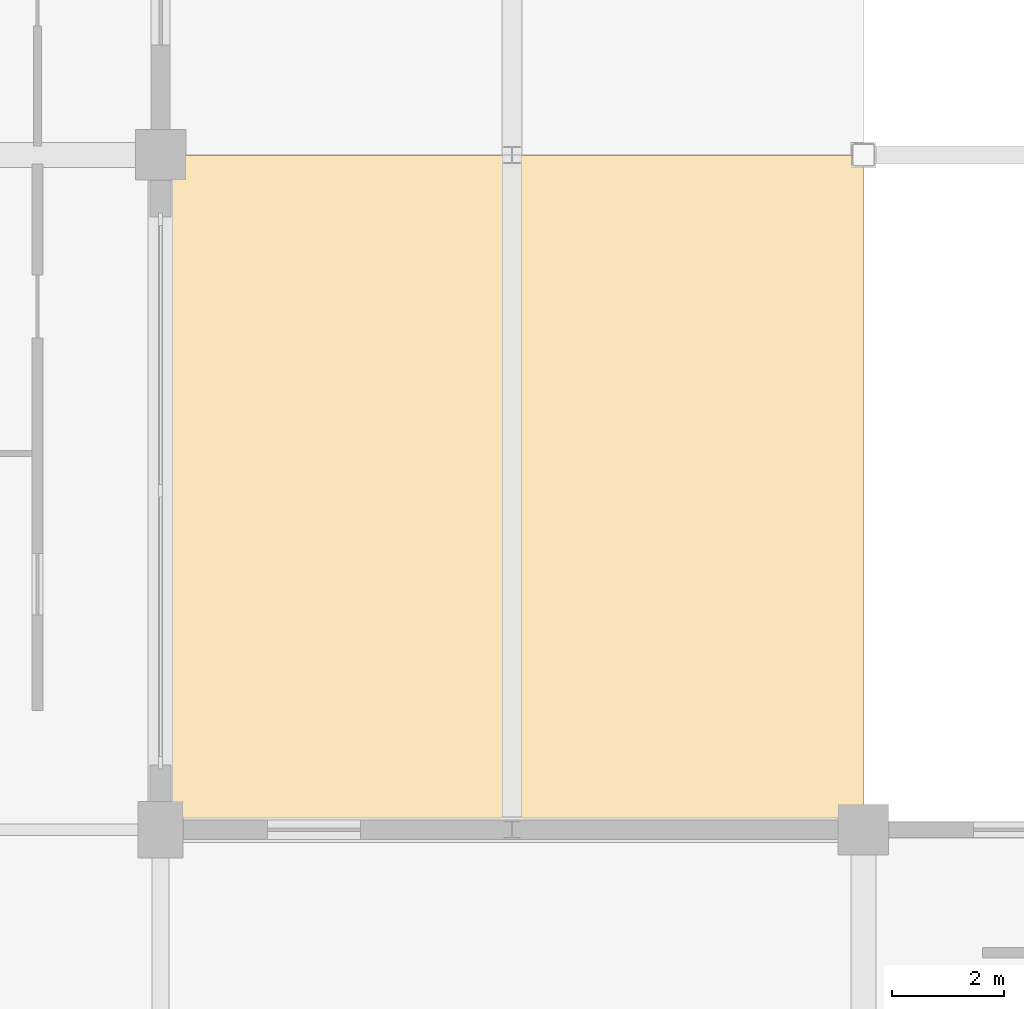
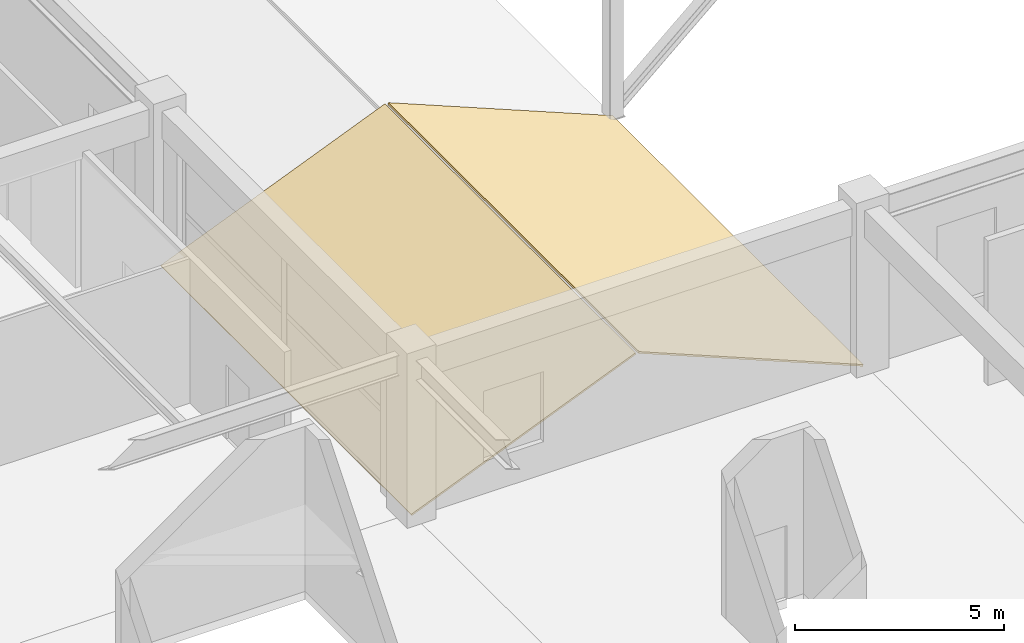
# One storey, part 88 of 116: 2 coverings.
"""IFC4 building model written with IfcOpenShell, lengths in metres."""

from ifc_helpers import new_model, si_unit, direction, frame, origin, place, context, subcontext, project, spatial, polyline, outline, extrude, material, layer, layer_set, type_object, element, save


model = new_model("IFC4")

# Units and contexts
model_context = context("Model", 3, precision=1e-05, world=origin(), true_north=direction((0.0, 1.0)))
body_context = subcontext(model_context, "Body", "Model", "MODEL_VIEW")
ifc_project = project(units=[si_unit("LENGTHUNIT", "METRE"), si_unit("AREAUNIT", "SQUARE_METRE"), si_unit("VOLUMEUNIT", "CUBIC_METRE"), si_unit("PLANEANGLEUNIT", "RADIAN"), si_unit("MASSUNIT", "GRAM", prefix="KILO")], contexts=[model_context])

# Site, building, storey
site_placement = place(None, origin())
site = spatial("IfcSite", under=ifc_project, at=site_placement, CompositionType="ELEMENT")
building_placement = place(site_placement, origin())
building = spatial("IfcBuilding", under=site, at=building_placement, Name="Kazenohara Klinker Stadium", CompositionType="ELEMENT")
storey_placement = place(building_placement, frame((0.0, 0.0, 10.199951171875)))
storey = spatial("IfcBuildingStorey", under=building, at=storey_placement, Name="L02", CompositionType="ELEMENT", Elevation=10.199951171875)

# Coverings
ifc_material = material(Name="Insulated standing-seam copper roofing", Category="metal")
ifc_layer = layer(ifc_material, 0.050048828125)
ifc_layer_set = layer_set([ifc_layer], Name="Insulated standing-seam copper roofing")
covering_type = type_object("IfcCoveringType", Name="COV-ROOF-01", PredefinedType="ROOFING", material=ifc_layer_set)
for number, where, z_axis, x_axis, name in (
    (1, (36.5, 36.0, -0.030029296875), (-0.380383442935, 0.0, 0.924828868678), (0.924828868678, 0.0, 0.380383442935), "Standing-seam copper stepped wing roofing L02-A 4/D"),
    (2, (42.800048828125, 36.0, 2.52001953125), (0.380383442935, 0.0, 0.924828868678), (0.924828868678, 0.0, -0.380383442935), "Standing-seam copper stepped wing roofing L02-B 4/D"),
):
    element("IfcCovering", number, at=place(storey_placement, frame(where, z_axis=z_axis, x_axis=x_axis)), inside=storey, type_object=covering_type, Name=name, PredefinedType="ROOFING", context=body_context, shape_type="SweptSolid", body=[
        extrude(outline(polyline([(0.0, 0.0), (6.703890181040846, 0.0), (6.703890181040846, 12.0), (0.0, 12.0), (0.0, 0.0)])), origin(), (0.0, 0.0, -1.0), 0.050048828125),
    ])

save(model, "model.ifc")
